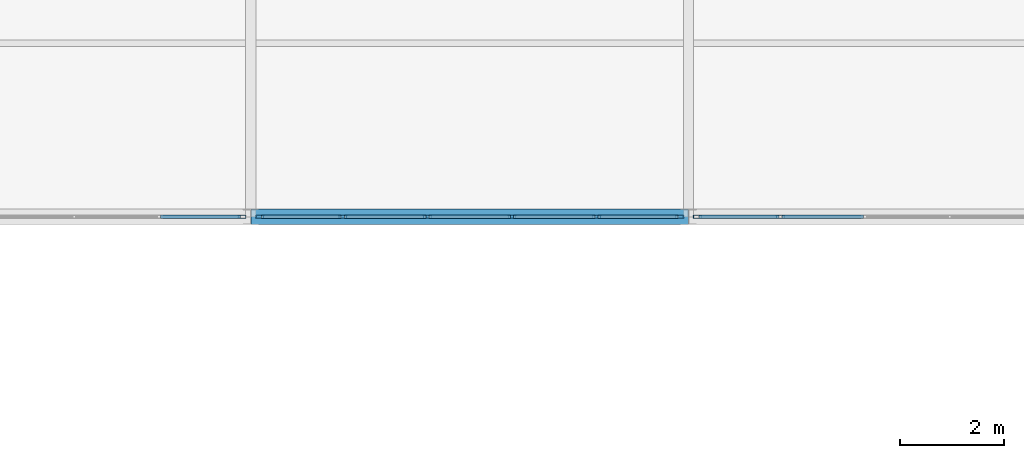
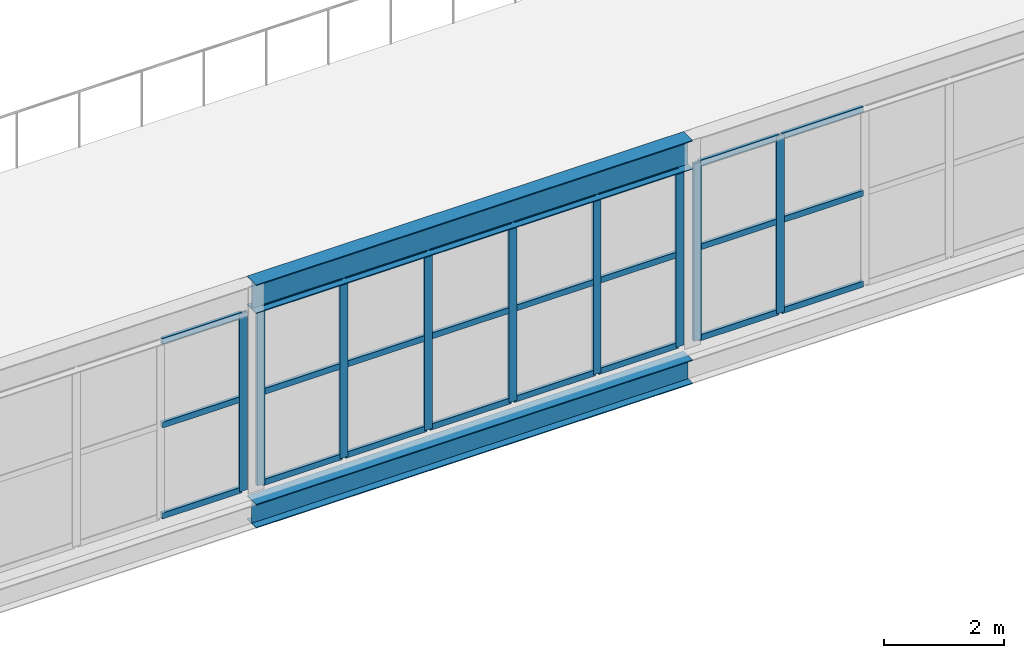
# One storey, part 138 of 218: 33 members, 2 beams, 3 elements without a shape of their own.
"""IFC4 building model written with IfcOpenShell, lengths in metres."""

from ifc_helpers import new_model, si_unit, direction, frame, origin, origin_2d, place, context, subcontext, project, spatial, hollow_rectangle, i_section, extrude, material, material_profile, profile_set, type_object, element, aggregate, save


model = new_model("IFC4")

# Units and contexts
model_context = context("Model", 3, precision=1e-05, world=origin(), true_north=direction((0.0, 1.0)))
body_context = subcontext(model_context, "Body", "Model", "MODEL_VIEW")
ifc_project = project(units=[si_unit("LENGTHUNIT", "METRE"), si_unit("AREAUNIT", "SQUARE_METRE"), si_unit("VOLUMEUNIT", "CUBIC_METRE"), si_unit("PLANEANGLEUNIT", "RADIAN"), si_unit("MASSUNIT", "GRAM", prefix="KILO")], contexts=[model_context])

# Site, building, storey
site_placement = place(None, origin())
site = spatial("IfcSite", under=ifc_project, at=site_placement, CompositionType="ELEMENT")
building_placement = place(site_placement, origin())
building = spatial("IfcBuilding", under=site, at=building_placement, Name="Kazenagashi Tramway Depot", CompositionType="ELEMENT")
storey_placement = place(building_placement, frame((0.0, 0.0, 6.0)))
storey = spatial("IfcBuildingStorey", under=building, at=storey_placement, Name="L02", CompositionType="ELEMENT", Elevation=6.0)

# Curtain wall, member
ifc_material_1 = material(Name="Anodised Aluminium and Low-E Glazing", Category="aluminium")
curtain_wall_type = type_object("IfcCurtainWallType", Name="CW-11", PredefinedType="USERDEFINED", material=ifc_material_1)
curtain_wall_1_placement = place(storey_placement, origin())
curtain_wall_1 = element("IfcCurtainWall", 1, at=curtain_wall_1_placement, inside=storey, type_object=curtain_wall_type, Name="Industrial Glazed Screen CW-11 CW-0036", ObjectType="GLAZED SCREEN", PredefinedType="USERDEFINED")
ifc_material_2 = material(Name="Anodised Aluminium", Category="aluminium")
ifc_material_profile_1 = material_profile(ifc_material_2, hollow_rectangle(XDim=0.06, YDim=0.15, WallThickness=0.004, at=origin_2d()), Name="RHS-150x60x4")
ifc_profile_set_1 = profile_set([ifc_material_profile_1], Name="Anodised Aluminium")
member_type_1 = type_object("IfcMemberType", Name="ML-01", PredefinedType="MULLION", material=ifc_profile_set_1)
member_1_placement = place(storey_placement, frame((128.63, 70.0, 0.0), z_axis=(0.0, 0.0, 1.0), x_axis=(0.0, 1.0, 0.0)))
member_1 = element("IfcMember", 2, at=member_1_placement, type_object=member_type_1, Name="CW-11 mullion 6", PredefinedType="MULLION", context=body_context, shape_type="SweptSolid", body=[
    extrude(hollow_rectangle(XDim=0.06, YDim=0.15, WallThickness=0.004, at=origin_2d()), origin(), (0.0, 0.0, 1.0), 3.612),
])

# Curtain wall, members
curtain_wall_2_placement = place(storey_placement, origin())
curtain_wall_2 = element("IfcCurtainWall", 3, at=curtain_wall_2_placement, inside=storey, type_object=curtain_wall_type, Name="Industrial Glazed Screen CW-11 CW-0039", ObjectType="GLAZED SCREEN", PredefinedType="USERDEFINED")
member_2_placement = place(storey_placement, frame((128.97, 70.0, 0.0), z_axis=(0.0, 0.0, 1.0), x_axis=(0.0, 1.0, 0.0)))
member_2 = element("IfcMember", 4, at=member_2_placement, type_object=member_type_1, Name="CW-11 mullion 1", PredefinedType="MULLION", context=body_context, shape_type="SweptSolid", body=[
    extrude(hollow_rectangle(XDim=0.06, YDim=0.15, WallThickness=0.004, at=origin_2d()), origin(), (0.0, 0.0, 1.0), 3.612),
])
member_3_placement = place(storey_placement, frame((130.564, 70.0, 0.0), z_axis=(0.0, 0.0, 1.0), x_axis=(0.0, 1.0, 0.0)))
member_3 = element("IfcMember", 5, at=member_3_placement, type_object=member_type_1, Name="CW-11 mullion 2", PredefinedType="MULLION", context=body_context, shape_type="SweptSolid", body=[
    extrude(hollow_rectangle(XDim=0.06, YDim=0.15, WallThickness=0.004, at=origin_2d()), origin(), (0.0, 0.0, 1.0), 3.612),
])
member_4_placement = place(storey_placement, frame((132.188, 70.0, 0.0), z_axis=(0.0, 0.0, 1.0), x_axis=(0.0, 1.0, 0.0)))
member_4 = element("IfcMember", 6, at=member_4_placement, type_object=member_type_1, Name="CW-11 mullion 3", PredefinedType="MULLION", context=body_context, shape_type="SweptSolid", body=[
    extrude(hollow_rectangle(XDim=0.06, YDim=0.15, WallThickness=0.004, at=origin_2d()), origin(), (0.0, 0.0, 1.0), 3.612),
])
member_5_placement = place(storey_placement, frame((133.812, 70.0, 0.0), z_axis=(0.0, 0.0, 1.0), x_axis=(0.0, 1.0, 0.0)))
member_5 = element("IfcMember", 7, at=member_5_placement, type_object=member_type_1, Name="CW-11 mullion 4", PredefinedType="MULLION", context=body_context, shape_type="SweptSolid", body=[
    extrude(hollow_rectangle(XDim=0.06, YDim=0.15, WallThickness=0.004, at=origin_2d()), origin(), (0.0, 0.0, 1.0), 3.612),
])
member_6_placement = place(storey_placement, frame((135.436, 70.0, 0.0), z_axis=(0.0, 0.0, 1.0), x_axis=(0.0, 1.0, 0.0)))
member_6 = element("IfcMember", 8, at=member_6_placement, type_object=member_type_1, Name="CW-11 mullion 5", PredefinedType="MULLION", context=body_context, shape_type="SweptSolid", body=[
    extrude(hollow_rectangle(XDim=0.06, YDim=0.15, WallThickness=0.004, at=origin_2d()), origin(), (0.0, 0.0, 1.0), 3.612),
])
member_7_placement = place(storey_placement, frame((137.03, 70.0, 0.0), z_axis=(0.0, 0.0, 1.0), x_axis=(0.0, 1.0, 0.0)))
member_7 = element("IfcMember", 9, at=member_7_placement, type_object=member_type_1, Name="CW-11 mullion 6", PredefinedType="MULLION", context=body_context, shape_type="SweptSolid", body=[
    extrude(hollow_rectangle(XDim=0.06, YDim=0.15, WallThickness=0.004, at=origin_2d()), origin(), (0.0, 0.0, 1.0), 3.612),
])

curtain_wall_3_placement = place(storey_placement, origin())
curtain_wall_3 = element("IfcCurtainWall", 10, at=curtain_wall_3_placement, inside=storey, type_object=curtain_wall_type, Name="Industrial Glazed Screen CW-11 CW-0040", ObjectType="GLAZED SCREEN", PredefinedType="USERDEFINED")
member_8_placement = place(storey_placement, frame((137.37, 70.0, 0.0), z_axis=(0.0, 0.0, 1.0), x_axis=(0.0, 1.0, 0.0)))
member_8 = element("IfcMember", 11, at=member_8_placement, type_object=member_type_1, Name="CW-11 mullion 1", PredefinedType="MULLION", context=body_context, shape_type="SweptSolid", body=[
    extrude(hollow_rectangle(XDim=0.06, YDim=0.15, WallThickness=0.004, at=origin_2d()), origin(), (0.0, 0.0, 1.0), 3.612),
])
member_9_placement = place(storey_placement, frame((138.964, 70.0, 0.0), z_axis=(0.0, 0.0, 1.0), x_axis=(0.0, 1.0, 0.0)))
member_9 = element("IfcMember", 12, at=member_9_placement, type_object=member_type_1, Name="CW-11 mullion 2", PredefinedType="MULLION", context=body_context, shape_type="SweptSolid", body=[
    extrude(hollow_rectangle(XDim=0.06, YDim=0.15, WallThickness=0.004, at=origin_2d()), origin(), (0.0, 0.0, 1.0), 3.612),
])

# Beams
ifc_material_3 = material(Name="Steel SN490B", Category="steel")
ifc_material_profile_2 = material_profile(ifc_material_3, i_section(OverallWidth=0.3, OverallDepth=0.588, WebThickness=0.012, FlangeThickness=0.02, at=origin_2d()), Name="H-588x300x12x20")
ifc_profile_set_2 = profile_set([ifc_material_profile_2], Name="Steel SN490B")
beam_type_1 = type_object("IfcBeamType", Name="SP-01", PredefinedType="SPANDREL", material=ifc_profile_set_2)
beam_1_placement = place(storey_placement, frame((128.8, 70.0, 3.906), z_axis=(1.0, 0.0, 0.0), x_axis=(0.0, 1.0, 0.0)))
element("IfcBeam", 13, at=beam_1_placement, inside=storey, type_object=beam_type_1, Name="Beam SP-01 BM-1854", PredefinedType="SPANDREL", context=body_context, shape_type="SweptSolid", body=[
    extrude(i_section(OverallWidth=0.3, OverallDepth=0.588, WebThickness=0.012, FlangeThickness=0.02, at=origin_2d()), origin(), (0.0, 0.0, 1.0), 8.4),
])
ifc_material_profile_3 = material_profile(ifc_material_3, i_section(OverallWidth=0.3, OverallDepth=0.488, WebThickness=0.011, FlangeThickness=0.018, at=origin_2d()), Name="H-488x300x11x18")
ifc_profile_set_3 = profile_set([ifc_material_profile_3], Name="Steel SN490B")
beam_type_2 = type_object("IfcBeamType", Name="SP-02", PredefinedType="SPANDREL", material=ifc_profile_set_3)
beam_2_placement = place(storey_placement, frame((128.8, 70.0, -0.509), z_axis=(1.0, 0.0, 0.0), x_axis=(0.0, 1.0, 0.0)))
element("IfcBeam", 14, at=beam_2_placement, inside=storey, type_object=beam_type_2, Name="Beam SP-02 BM-1711", PredefinedType="SPANDREL", context=body_context, shape_type="SweptSolid", body=[
    extrude(i_section(OverallWidth=0.3, OverallDepth=0.488, WebThickness=0.011, FlangeThickness=0.018, at=origin_2d()), origin(), (0.0, 0.0, 1.0), 8.4),
])

# Member
ifc_material_profile_4 = material_profile(ifc_material_2, hollow_rectangle(XDim=0.06, YDim=0.12, WallThickness=0.004, at=origin_2d()), Name="RHS-120x60x4")
ifc_profile_set_4 = profile_set([ifc_material_profile_4], Name="Anodised Aluminium")
member_type_2 = type_object("IfcMemberType", Name="TR-01", PredefinedType="USERDEFINED", material=ifc_profile_set_4)
member_10_placement = place(storey_placement, frame((127.066, 70.0, 0.03), z_axis=(1.0, 0.0, 0.0), x_axis=(0.0, 1.0, 0.0)))
member_10 = element("IfcMember", 15, at=member_10_placement, type_object=member_type_2, Name="CW-11 transom 5.1", ObjectType="TRANSOM", PredefinedType="USERDEFINED", context=body_context, shape_type="SweptSolid", body=[
    extrude(hollow_rectangle(XDim=0.06, YDim=0.12, WallThickness=0.004, at=origin_2d()), origin(), (0.0, 0.0, 1.0), 1.534),
])

member_11_placement = place(storey_placement, frame((127.066, 70.0, 1.878), z_axis=(1.0, 0.0, 0.0), x_axis=(0.0, 1.0, 0.0)))
member_11 = element("IfcMember", 16, at=member_11_placement, type_object=member_type_2, Name="CW-11 transom 5.2", ObjectType="TRANSOM", PredefinedType="USERDEFINED", context=body_context, shape_type="SweptSolid", body=[
    extrude(hollow_rectangle(XDim=0.06, YDim=0.12, WallThickness=0.004, at=origin_2d()), origin(), (0.0, 0.0, 1.0), 1.534),
])

member_12_placement = place(storey_placement, frame((127.066, 70.0, 3.582), z_axis=(1.0, 0.0, 0.0), x_axis=(0.0, 1.0, 0.0)))
member_12 = element("IfcMember", 17, at=member_12_placement, type_object=member_type_2, Name="CW-11 transom 5.3", ObjectType="TRANSOM", PredefinedType="USERDEFINED", context=body_context, shape_type="SweptSolid", body=[
    extrude(hollow_rectangle(XDim=0.06, YDim=0.12, WallThickness=0.004, at=origin_2d()), origin(), (0.0, 0.0, 1.0), 1.534),
])

aggregate(curtain_wall_1, [member_1, member_10, member_11, member_12])

member_13_placement = place(storey_placement, frame((129.0, 70.0, 0.03), z_axis=(1.0, 0.0, 0.0), x_axis=(0.0, 1.0, 0.0)))
member_13 = element("IfcMember", 18, at=member_13_placement, type_object=member_type_2, Name="CW-11 transom 1.1", ObjectType="TRANSOM", PredefinedType="USERDEFINED", context=body_context, shape_type="SweptSolid", body=[
    extrude(hollow_rectangle(XDim=0.06, YDim=0.12, WallThickness=0.004, at=origin_2d()), origin(), (0.0, 0.0, 1.0), 1.534),
])

member_14_placement = place(storey_placement, frame((129.0, 70.0, 1.878), z_axis=(1.0, 0.0, 0.0), x_axis=(0.0, 1.0, 0.0)))
member_14 = element("IfcMember", 19, at=member_14_placement, type_object=member_type_2, Name="CW-11 transom 1.2", ObjectType="TRANSOM", PredefinedType="USERDEFINED", context=body_context, shape_type="SweptSolid", body=[
    extrude(hollow_rectangle(XDim=0.06, YDim=0.12, WallThickness=0.004, at=origin_2d()), origin(), (0.0, 0.0, 1.0), 1.534),
])

member_15_placement = place(storey_placement, frame((129.0, 70.0, 3.582), z_axis=(1.0, 0.0, 0.0), x_axis=(0.0, 1.0, 0.0)))
member_15 = element("IfcMember", 20, at=member_15_placement, type_object=member_type_2, Name="CW-11 transom 1.3", ObjectType="TRANSOM", PredefinedType="USERDEFINED", context=body_context, shape_type="SweptSolid", body=[
    extrude(hollow_rectangle(XDim=0.06, YDim=0.12, WallThickness=0.004, at=origin_2d()), origin(), (0.0, 0.0, 1.0), 1.534),
])

member_16_placement = place(storey_placement, frame((130.594, 70.0, 0.03), z_axis=(1.0, 0.0, 0.0), x_axis=(0.0, 1.0, 0.0)))
member_16 = element("IfcMember", 21, at=member_16_placement, type_object=member_type_2, Name="CW-11 transom 2.1", ObjectType="TRANSOM", PredefinedType="USERDEFINED", context=body_context, shape_type="SweptSolid", body=[
    extrude(hollow_rectangle(XDim=0.06, YDim=0.12, WallThickness=0.004, at=origin_2d()), origin(), (0.0, 0.0, 1.0), 1.564),
])

member_17_placement = place(storey_placement, frame((130.594, 70.0, 1.878), z_axis=(1.0, 0.0, 0.0), x_axis=(0.0, 1.0, 0.0)))
member_17 = element("IfcMember", 22, at=member_17_placement, type_object=member_type_2, Name="CW-11 transom 2.2", ObjectType="TRANSOM", PredefinedType="USERDEFINED", context=body_context, shape_type="SweptSolid", body=[
    extrude(hollow_rectangle(XDim=0.06, YDim=0.12, WallThickness=0.004, at=origin_2d()), origin(), (0.0, 0.0, 1.0), 1.564),
])

member_18_placement = place(storey_placement, frame((130.594, 70.0, 3.582), z_axis=(1.0, 0.0, 0.0), x_axis=(0.0, 1.0, 0.0)))
member_18 = element("IfcMember", 23, at=member_18_placement, type_object=member_type_2, Name="CW-11 transom 2.3", ObjectType="TRANSOM", PredefinedType="USERDEFINED", context=body_context, shape_type="SweptSolid", body=[
    extrude(hollow_rectangle(XDim=0.06, YDim=0.12, WallThickness=0.004, at=origin_2d()), origin(), (0.0, 0.0, 1.0), 1.564),
])

member_19_placement = place(storey_placement, frame((132.218, 70.0, 0.03), z_axis=(1.0, 0.0, 0.0), x_axis=(0.0, 1.0, 0.0)))
member_19 = element("IfcMember", 24, at=member_19_placement, type_object=member_type_2, Name="CW-11 transom 3.1", ObjectType="TRANSOM", PredefinedType="USERDEFINED", context=body_context, shape_type="SweptSolid", body=[
    extrude(hollow_rectangle(XDim=0.06, YDim=0.12, WallThickness=0.004, at=origin_2d()), origin(), (0.0, 0.0, 1.0), 1.564),
])

member_20_placement = place(storey_placement, frame((132.218, 70.0, 1.878), z_axis=(1.0, 0.0, 0.0), x_axis=(0.0, 1.0, 0.0)))
member_20 = element("IfcMember", 25, at=member_20_placement, type_object=member_type_2, Name="CW-11 transom 3.2", ObjectType="TRANSOM", PredefinedType="USERDEFINED", context=body_context, shape_type="SweptSolid", body=[
    extrude(hollow_rectangle(XDim=0.06, YDim=0.12, WallThickness=0.004, at=origin_2d()), origin(), (0.0, 0.0, 1.0), 1.564),
])

member_21_placement = place(storey_placement, frame((132.218, 70.0, 3.582), z_axis=(1.0, 0.0, 0.0), x_axis=(0.0, 1.0, 0.0)))
member_21 = element("IfcMember", 26, at=member_21_placement, type_object=member_type_2, Name="CW-11 transom 3.3", ObjectType="TRANSOM", PredefinedType="USERDEFINED", context=body_context, shape_type="SweptSolid", body=[
    extrude(hollow_rectangle(XDim=0.06, YDim=0.12, WallThickness=0.004, at=origin_2d()), origin(), (0.0, 0.0, 1.0), 1.564),
])

member_22_placement = place(storey_placement, frame((133.842, 70.0, 0.03), z_axis=(1.0, 0.0, 0.0), x_axis=(0.0, 1.0, 0.0)))
member_22 = element("IfcMember", 27, at=member_22_placement, type_object=member_type_2, Name="CW-11 transom 4.1", ObjectType="TRANSOM", PredefinedType="USERDEFINED", context=body_context, shape_type="SweptSolid", body=[
    extrude(hollow_rectangle(XDim=0.06, YDim=0.12, WallThickness=0.004, at=origin_2d()), origin(), (0.0, 0.0, 1.0), 1.564),
])

member_23_placement = place(storey_placement, frame((133.842, 70.0, 1.878), z_axis=(1.0, 0.0, 0.0), x_axis=(0.0, 1.0, 0.0)))
member_23 = element("IfcMember", 28, at=member_23_placement, type_object=member_type_2, Name="CW-11 transom 4.2", ObjectType="TRANSOM", PredefinedType="USERDEFINED", context=body_context, shape_type="SweptSolid", body=[
    extrude(hollow_rectangle(XDim=0.06, YDim=0.12, WallThickness=0.004, at=origin_2d()), origin(), (0.0, 0.0, 1.0), 1.564),
])

member_24_placement = place(storey_placement, frame((133.842, 70.0, 3.582), z_axis=(1.0, 0.0, 0.0), x_axis=(0.0, 1.0, 0.0)))
member_24 = element("IfcMember", 29, at=member_24_placement, type_object=member_type_2, Name="CW-11 transom 4.3", ObjectType="TRANSOM", PredefinedType="USERDEFINED", context=body_context, shape_type="SweptSolid", body=[
    extrude(hollow_rectangle(XDim=0.06, YDim=0.12, WallThickness=0.004, at=origin_2d()), origin(), (0.0, 0.0, 1.0), 1.564),
])

member_25_placement = place(storey_placement, frame((135.466, 70.0, 0.03), z_axis=(1.0, 0.0, 0.0), x_axis=(0.0, 1.0, 0.0)))
member_25 = element("IfcMember", 30, at=member_25_placement, type_object=member_type_2, Name="CW-11 transom 5.1", ObjectType="TRANSOM", PredefinedType="USERDEFINED", context=body_context, shape_type="SweptSolid", body=[
    extrude(hollow_rectangle(XDim=0.06, YDim=0.12, WallThickness=0.004, at=origin_2d()), origin(), (0.0, 0.0, 1.0), 1.534),
])

member_26_placement = place(storey_placement, frame((135.466, 70.0, 1.878), z_axis=(1.0, 0.0, 0.0), x_axis=(0.0, 1.0, 0.0)))
member_26 = element("IfcMember", 31, at=member_26_placement, type_object=member_type_2, Name="CW-11 transom 5.2", ObjectType="TRANSOM", PredefinedType="USERDEFINED", context=body_context, shape_type="SweptSolid", body=[
    extrude(hollow_rectangle(XDim=0.06, YDim=0.12, WallThickness=0.004, at=origin_2d()), origin(), (0.0, 0.0, 1.0), 1.534),
])

member_27_placement = place(storey_placement, frame((135.466, 70.0, 3.582), z_axis=(1.0, 0.0, 0.0), x_axis=(0.0, 1.0, 0.0)))
member_27 = element("IfcMember", 32, at=member_27_placement, type_object=member_type_2, Name="CW-11 transom 5.3", ObjectType="TRANSOM", PredefinedType="USERDEFINED", context=body_context, shape_type="SweptSolid", body=[
    extrude(hollow_rectangle(XDim=0.06, YDim=0.12, WallThickness=0.004, at=origin_2d()), origin(), (0.0, 0.0, 1.0), 1.534),
])

aggregate(curtain_wall_2, [member_2, member_3, member_4, member_5, member_6, member_7, member_13, member_14, member_15, member_16, member_17, member_18, member_19, member_20, member_21, member_22, member_23, member_24, member_25, member_26, member_27])

member_28_placement = place(storey_placement, frame((137.4, 70.0, 0.03), z_axis=(1.0, 0.0, 0.0), x_axis=(0.0, 1.0, 0.0)))
member_28 = element("IfcMember", 33, at=member_28_placement, type_object=member_type_2, Name="CW-11 transom 1.1", ObjectType="TRANSOM", PredefinedType="USERDEFINED", context=body_context, shape_type="SweptSolid", body=[
    extrude(hollow_rectangle(XDim=0.06, YDim=0.12, WallThickness=0.004, at=origin_2d()), origin(), (0.0, 0.0, 1.0), 1.534),
])

member_29_placement = place(storey_placement, frame((137.4, 70.0, 1.878), z_axis=(1.0, 0.0, 0.0), x_axis=(0.0, 1.0, 0.0)))
member_29 = element("IfcMember", 34, at=member_29_placement, type_object=member_type_2, Name="CW-11 transom 1.2", ObjectType="TRANSOM", PredefinedType="USERDEFINED", context=body_context, shape_type="SweptSolid", body=[
    extrude(hollow_rectangle(XDim=0.06, YDim=0.12, WallThickness=0.004, at=origin_2d()), origin(), (0.0, 0.0, 1.0), 1.534),
])

member_30_placement = place(storey_placement, frame((137.4, 70.0, 3.582), z_axis=(1.0, 0.0, 0.0), x_axis=(0.0, 1.0, 0.0)))
member_30 = element("IfcMember", 35, at=member_30_placement, type_object=member_type_2, Name="CW-11 transom 1.3", ObjectType="TRANSOM", PredefinedType="USERDEFINED", context=body_context, shape_type="SweptSolid", body=[
    extrude(hollow_rectangle(XDim=0.06, YDim=0.12, WallThickness=0.004, at=origin_2d()), origin(), (0.0, 0.0, 1.0), 1.534),
])

member_31_placement = place(storey_placement, frame((138.994, 70.0, 0.03), z_axis=(1.0, 0.0, 0.0), x_axis=(0.0, 1.0, 0.0)))
member_31 = element("IfcMember", 36, at=member_31_placement, type_object=member_type_2, Name="CW-11 transom 2.1", ObjectType="TRANSOM", PredefinedType="USERDEFINED", context=body_context, shape_type="SweptSolid", body=[
    extrude(hollow_rectangle(XDim=0.06, YDim=0.12, WallThickness=0.004, at=origin_2d()), origin(), (0.0, 0.0, 1.0), 1.564),
])

member_32_placement = place(storey_placement, frame((138.994, 70.0, 1.878), z_axis=(1.0, 0.0, 0.0), x_axis=(0.0, 1.0, 0.0)))
member_32 = element("IfcMember", 37, at=member_32_placement, type_object=member_type_2, Name="CW-11 transom 2.2", ObjectType="TRANSOM", PredefinedType="USERDEFINED", context=body_context, shape_type="SweptSolid", body=[
    extrude(hollow_rectangle(XDim=0.06, YDim=0.12, WallThickness=0.004, at=origin_2d()), origin(), (0.0, 0.0, 1.0), 1.564),
])

member_33_placement = place(storey_placement, frame((138.994, 70.0, 3.582), z_axis=(1.0, 0.0, 0.0), x_axis=(0.0, 1.0, 0.0)))
member_33 = element("IfcMember", 38, at=member_33_placement, type_object=member_type_2, Name="CW-11 transom 2.3", ObjectType="TRANSOM", PredefinedType="USERDEFINED", context=body_context, shape_type="SweptSolid", body=[
    extrude(hollow_rectangle(XDim=0.06, YDim=0.12, WallThickness=0.004, at=origin_2d()), origin(), (0.0, 0.0, 1.0), 1.564),
])

aggregate(curtain_wall_3, [member_8, member_9, member_28, member_29, member_30, member_31, member_32, member_33])

save(model, "model.ifc")
